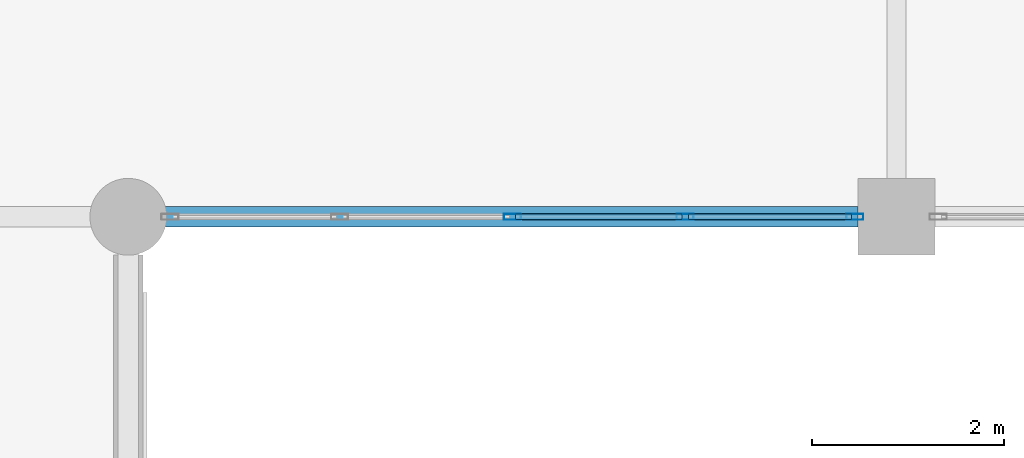
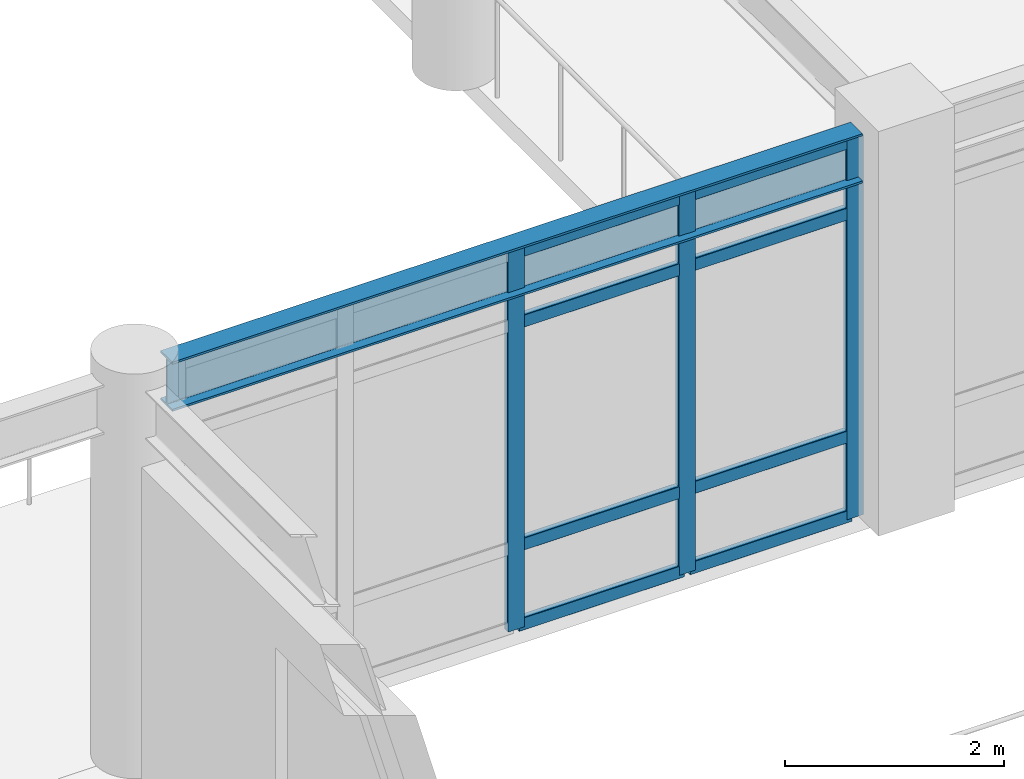
# One storey, part 24 of 111: 11 members, 1 beam, 1 element without a shape of its own.
"""IFC4 building model written with IfcOpenShell, lengths in metres."""

from ifc_helpers import new_model, si_unit, direction, frame, origin, origin_2d, place, context, subcontext, project, spatial, hollow_rectangle, i_section, extrude, material, material_profile, profile_set, type_object, element, aggregate, save


model = new_model("IFC4")

# Units and contexts
model_context = context("Model", 3, precision=1e-05, world=origin(), true_north=direction((0.0, 1.0)))
body_context = subcontext(model_context, "Body", "Model", "MODEL_VIEW")
ifc_project = project(units=[si_unit("LENGTHUNIT", "METRE"), si_unit("AREAUNIT", "SQUARE_METRE"), si_unit("VOLUMEUNIT", "CUBIC_METRE"), si_unit("PLANEANGLEUNIT", "RADIAN"), si_unit("MASSUNIT", "GRAM", prefix="KILO")], contexts=[model_context])

# Site, building, storey
site_placement = place(None, origin())
site = spatial("IfcSite", under=ifc_project, at=site_placement, CompositionType="ELEMENT")
building_placement = place(site_placement, origin())
building = spatial("IfcBuilding", under=site, at=building_placement, Name="Solmirada Galleria", CompositionType="ELEMENT")
storey_placement = place(building_placement, frame((0.0, 0.0, 10.39990234375)))
storey = spatial("IfcBuildingStorey", under=building, at=storey_placement, Name="L02", CompositionType="ELEMENT", Elevation=10.39990234375)

# Beam
ifc_material_1 = material(Name="Steel S355 / ASTM A992 Grade 50", Category="steel")
ifc_material_profile_1 = material_profile(ifc_material_1, i_section(OverallWidth=0.214111328125, OverallDepth=0.549072265625, WebThickness=0.0146484375, FlangeThickness=0.023681640625, FilletRadius=0.014892578125, at=origin_2d()), Name="W21X93")
ifc_profile_set_1 = profile_set([ifc_material_profile_1], Name="Steel S355 / ASTM A992 Grade 50")
beam_type = type_object("IfcBeamType", Name="BM-GIRD-W21A", PredefinedType="BEAM", material=ifc_profile_set_1)
beam_placement = place(storey_placement, frame((96.3359375, 48.0, 4.025634765625), z_axis=(1.0, 0.0, 0.0), x_axis=(0.0, 1.0, 0.0)))
element("IfcBeam", 1, at=beam_placement, inside=storey, type_object=beam_type, Name="Primary beam L03 X(96..104, 48)", PredefinedType="BEAM", context=body_context, shape_type="SweptSolid", body=[
    extrude(i_section(OverallWidth=0.214111328125, OverallDepth=0.549072265625, WebThickness=0.0146484375, FlangeThickness=0.023681640625, FilletRadius=0.014892578125, at=origin_2d()), origin(), (0.0, 0.0, 1.0), 7.26416015625),
])

# Curtain wall, members
ifc_material_2 = material(Name="Impact-resistant low-E double glazing", Category="glass")
curtain_wall_type = type_object("IfcCurtainWallType", Name="CW-FZ3-L02-B4-L072", PredefinedType="NOTDEFINED", material=ifc_material_2)
curtain_wall_placement = place(storey_placement, origin())
curtain_wall = element("IfcCurtainWall", 2, at=curtain_wall_placement, inside=storey, type_object=curtain_wall_type, Name="Terrace and arcade storefront CW-L02-110", PredefinedType="NOTDEFINED")
ifc_material_3 = material(Name="Anodised aluminium framing", Category="aluminium")
ifc_material_profile_2 = material_profile(ifc_material_3, hollow_rectangle(XDim=0.06494140625, YDim=0.179931640625, WallThickness=0.00390625, InnerFilletRadius=0.00390625, OuterFilletRadius=0.008056640625, at=origin_2d()), Name="ALU-MULL-180X65")
ifc_profile_set_2 = profile_set([ifc_material_profile_2], Name="Anodised aluminium framing")
member_type_1 = type_object("IfcMemberType", Name="CW-MULL-180", PredefinedType="MULLION", material=ifc_profile_set_2)
member_1_placement = place(storey_placement, frame((103.5654296875, 48.0, 0.0), z_axis=(0.0, 0.0, 1.0), x_axis=(0.0, -1.0, 0.0)))
member_1 = element("IfcMember", 3, at=member_1_placement, type_object=member_type_1, Name="CW21 mullion 1", PredefinedType="MULLION", context=body_context, shape_type="SweptSolid", body=[
    extrude(hollow_rectangle(XDim=0.06494140625, YDim=0.179931640625, WallThickness=0.00390625, InnerFilletRadius=0.00390625, OuterFilletRadius=0.008056640625, at=origin_2d()), origin(), (0.0, 0.0, 1.0), 4.22021484375),
])
member_2_placement = place(storey_placement, frame((101.799072265625, 48.0, 0.0), z_axis=(0.0, 0.0, 1.0), x_axis=(0.0, -1.0, 0.0)))
member_2 = element("IfcMember", 4, at=member_2_placement, type_object=member_type_1, Name="CW21 mullion 2", PredefinedType="MULLION", context=body_context, shape_type="SweptSolid", body=[
    extrude(hollow_rectangle(XDim=0.06494140625, YDim=0.179931640625, WallThickness=0.00390625, InnerFilletRadius=0.00390625, OuterFilletRadius=0.008056640625, at=origin_2d()), origin(), (0.0, 0.0, 1.0), 4.22021484375),
])
member_3_placement = place(storey_placement, frame((100.0, 48.0, 0.0), z_axis=(0.0, 0.0, 1.0), x_axis=(0.0, -1.0, 0.0)))
member_3 = element("IfcMember", 5, at=member_3_placement, type_object=member_type_1, Name="CW21 mullion 3", PredefinedType="MULLION", context=body_context, shape_type="SweptSolid", body=[
    extrude(hollow_rectangle(XDim=0.06494140625, YDim=0.179931640625, WallThickness=0.00390625, InnerFilletRadius=0.00390625, OuterFilletRadius=0.008056640625, at=origin_2d()), origin(), (0.0, 0.0, 1.0), 4.22021484375),
])
ifc_material_profile_3 = material_profile(ifc_material_3, hollow_rectangle(XDim=0.06494140625, YDim=0.139892578125, WallThickness=0.00341796875, InnerFilletRadius=0.00341796875, OuterFilletRadius=0.007080078125, at=origin_2d()), Name="ALU-TRAN-140X65")
ifc_profile_set_3 = profile_set([ifc_material_profile_3], Name="Anodised aluminium framing")
member_type_2 = type_object("IfcMemberType", Name="CW-TRAN-140", PredefinedType="USERDEFINED", material=ifc_profile_set_3)
member_4_placement = place(storey_placement, frame((103.532958984375, 48.0, 0.03271484375), z_axis=(-1.0, 0.0, 0.0), x_axis=(0.0, -1.0, 0.0)))
member_4 = element("IfcMember", 6, at=member_4_placement, type_object=member_type_2, Name="CW21 transom 1.1", ObjectType="TRANSOM", PredefinedType="USERDEFINED", context=body_context, shape_type="SweptSolid", body=[
    extrude(hollow_rectangle(XDim=0.06494140625, YDim=0.139892578125, WallThickness=0.00341796875, InnerFilletRadius=0.00341796875, OuterFilletRadius=0.007080078125, at=origin_2d()), origin(), (0.0, 0.0, 1.0), 1.701416015625),
])
member_5_placement = place(storey_placement, frame((103.532958984375, 48.0, 0.920166015625), z_axis=(-1.0, 0.0, 0.0), x_axis=(0.0, -1.0, 0.0)))
member_5 = element("IfcMember", 7, at=member_5_placement, type_object=member_type_2, Name="CW21 transom 1.2", ObjectType="TRANSOM", PredefinedType="USERDEFINED", context=body_context, shape_type="SweptSolid", body=[
    extrude(hollow_rectangle(XDim=0.06494140625, YDim=0.139892578125, WallThickness=0.00341796875, InnerFilletRadius=0.00341796875, OuterFilletRadius=0.007080078125, at=origin_2d()), origin(), (0.0, 0.0, 1.0), 1.701416015625),
])
member_6_placement = place(storey_placement, frame((103.532958984375, 48.0, 3.400146484375), z_axis=(-1.0, 0.0, 0.0), x_axis=(0.0, -1.0, 0.0)))
member_6 = element("IfcMember", 8, at=member_6_placement, type_object=member_type_2, Name="CW21 transom 1.3", ObjectType="TRANSOM", PredefinedType="USERDEFINED", context=body_context, shape_type="SweptSolid", body=[
    extrude(hollow_rectangle(XDim=0.06494140625, YDim=0.139892578125, WallThickness=0.00341796875, InnerFilletRadius=0.00341796875, OuterFilletRadius=0.007080078125, at=origin_2d()), origin(), (0.0, 0.0, 1.0), 1.701416015625),
])
member_7_placement = place(storey_placement, frame((103.532958984375, 48.0, 4.1875), z_axis=(-1.0, 0.0, 0.0), x_axis=(0.0, -1.0, 0.0)))
member_7 = element("IfcMember", 9, at=member_7_placement, type_object=member_type_2, Name="CW21 transom 1.4", ObjectType="TRANSOM", PredefinedType="USERDEFINED", context=body_context, shape_type="SweptSolid", body=[
    extrude(hollow_rectangle(XDim=0.06494140625, YDim=0.139892578125, WallThickness=0.00341796875, InnerFilletRadius=0.00341796875, OuterFilletRadius=0.007080078125, at=origin_2d()), origin(), (0.0, 0.0, 1.0), 1.701416015625),
])
member_8_placement = place(storey_placement, frame((101.7666015625, 48.0, 0.03271484375), z_axis=(-1.0, 0.0, 0.0), x_axis=(0.0, -1.0, 0.0)))
member_8 = element("IfcMember", 10, at=member_8_placement, type_object=member_type_2, Name="CW21 transom 2.1", ObjectType="TRANSOM", PredefinedType="USERDEFINED", context=body_context, shape_type="SweptSolid", body=[
    extrude(hollow_rectangle(XDim=0.06494140625, YDim=0.139892578125, WallThickness=0.00341796875, InnerFilletRadius=0.00341796875, OuterFilletRadius=0.007080078125, at=origin_2d()), origin(), (0.0, 0.0, 1.0), 1.734130859375),
])
member_9_placement = place(storey_placement, frame((101.7666015625, 48.0, 0.920166015625), z_axis=(-1.0, 0.0, 0.0), x_axis=(0.0, -1.0, 0.0)))
member_9 = element("IfcMember", 11, at=member_9_placement, type_object=member_type_2, Name="CW21 transom 2.2", ObjectType="TRANSOM", PredefinedType="USERDEFINED", context=body_context, shape_type="SweptSolid", body=[
    extrude(hollow_rectangle(XDim=0.06494140625, YDim=0.139892578125, WallThickness=0.00341796875, InnerFilletRadius=0.00341796875, OuterFilletRadius=0.007080078125, at=origin_2d()), origin(), (0.0, 0.0, 1.0), 1.734130859375),
])
member_10_placement = place(storey_placement, frame((101.7666015625, 48.0, 3.400146484375), z_axis=(-1.0, 0.0, 0.0), x_axis=(0.0, -1.0, 0.0)))
member_10 = element("IfcMember", 12, at=member_10_placement, type_object=member_type_2, Name="CW21 transom 2.3", ObjectType="TRANSOM", PredefinedType="USERDEFINED", context=body_context, shape_type="SweptSolid", body=[
    extrude(hollow_rectangle(XDim=0.06494140625, YDim=0.139892578125, WallThickness=0.00341796875, InnerFilletRadius=0.00341796875, OuterFilletRadius=0.007080078125, at=origin_2d()), origin(), (0.0, 0.0, 1.0), 1.734130859375),
])
member_11_placement = place(storey_placement, frame((101.7666015625, 48.0, 4.1875), z_axis=(-1.0, 0.0, 0.0), x_axis=(0.0, -1.0, 0.0)))
member_11 = element("IfcMember", 13, at=member_11_placement, type_object=member_type_2, Name="CW21 transom 2.4", ObjectType="TRANSOM", PredefinedType="USERDEFINED", context=body_context, shape_type="SweptSolid", body=[
    extrude(hollow_rectangle(XDim=0.06494140625, YDim=0.139892578125, WallThickness=0.00341796875, InnerFilletRadius=0.00341796875, OuterFilletRadius=0.007080078125, at=origin_2d()), origin(), (0.0, 0.0, 1.0), 1.734130859375),
])
aggregate(curtain_wall, [member_1, member_2, member_3, member_4, member_5, member_6, member_7, member_8, member_9, member_10, member_11])

save(model, "model.ifc")
